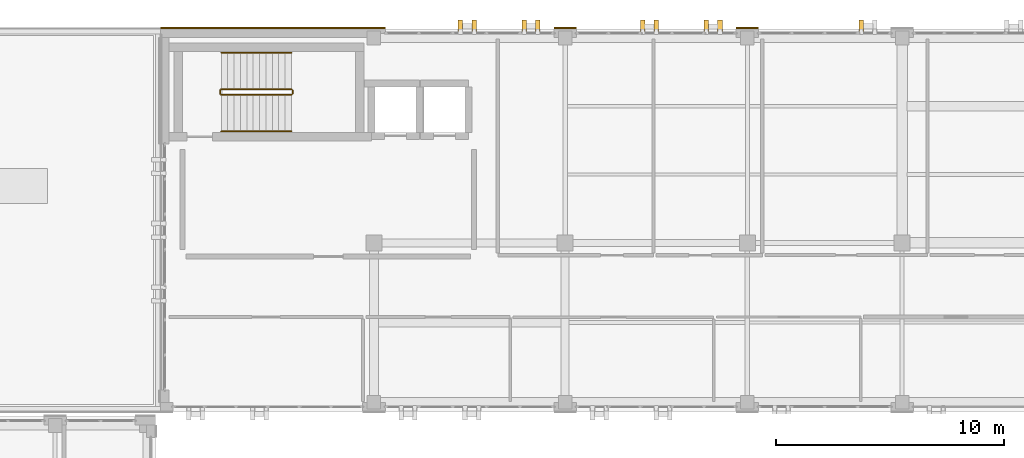
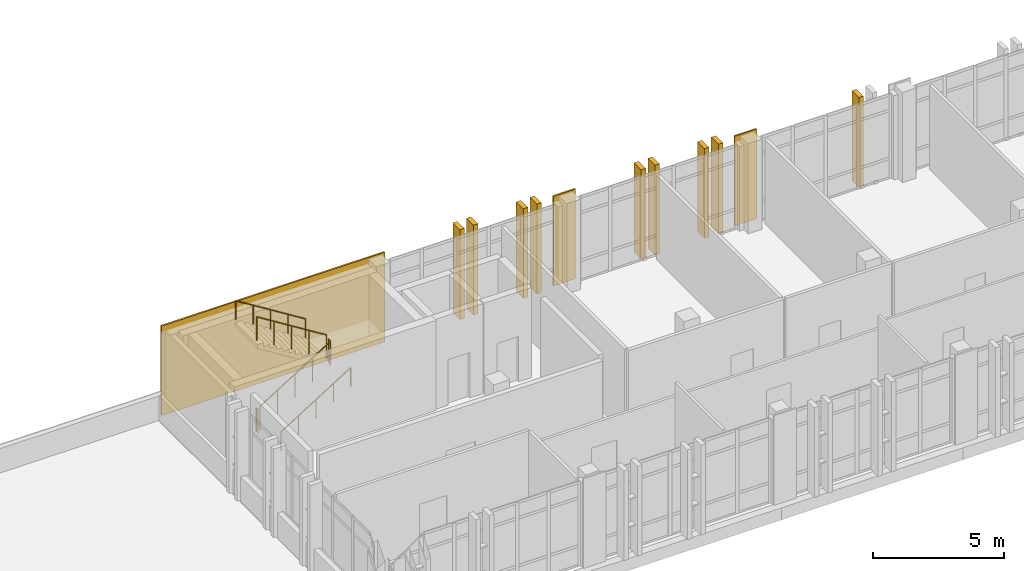
# One storey, part 84 of 90: 12 coverings, 6 railings.
"""IFC4 building model written with IfcOpenShell, lengths in metres."""

from ifc_helpers import new_model, si_unit, direction, frame, origin, origin_2d, place, context, subcontext, project, spatial, rectangle, circle, extrude, material, layer, layer_set, type_object, element, save


model = new_model("IFC4")

# Units and contexts
model_context = context("Model", 3, precision=1e-05, world=origin(), true_north=direction((0.0, 1.0)))
body_context = subcontext(model_context, "Body", "Model", "MODEL_VIEW")
ifc_project = project(units=[si_unit("LENGTHUNIT", "METRE"), si_unit("AREAUNIT", "SQUARE_METRE"), si_unit("VOLUMEUNIT", "CUBIC_METRE"), si_unit("PLANEANGLEUNIT", "RADIAN"), si_unit("MASSUNIT", "GRAM", prefix="KILO")], contexts=[model_context])

# Site, building, storey
site_placement = place(None, origin())
site = spatial("IfcSite", under=ifc_project, at=site_placement, CompositionType="ELEMENT")
building_placement = place(site_placement, origin())
building = spatial("IfcBuilding", under=site, at=building_placement, Name="Qalavern Law Courts", CompositionType="ELEMENT")
storey_placement = place(building_placement, frame((0.0, 0.0, 22.800048828125)))
storey = spatial("IfcBuildingStorey", under=building, at=storey_placement, Name="L05", CompositionType="ELEMENT", Elevation=22.800048828125)

# Coverings
ifc_material_1 = material(Name="Precast concrete C40/50", Category="concrete")
ifc_layer_1 = layer(ifc_material_1, 0.199951171875)
ifc_layer_set_1 = layer_set([ifc_layer_1], Name="Precast concrete C40/50")
covering_type_1 = type_object("IfcCoveringType", Name="ENV-BLD-1", PredefinedType="CLADDING", material=ifc_layer_set_1)
for number, where, z_axis, x_axis, name in (
    (1, (49.800048828125, 113.117431640625, 0.0048828125), (0.0, 0.0, 1.0), (0.0, 1.0, 0.0), "Absheron stone facade blade 1140"),
    (2, (43.60009765625, 113.117431640625, 0.0048828125), (0.0, 0.0, 1.0), (0.0, 1.0, 0.0), "Absheron stone facade blade 1141"),
    (3, (43.0, 113.117431640625, 0.0048828125), (0.0, 0.0, 1.0), (0.0, 1.0, 0.0), "Absheron stone facade blade 1142"),
    (4, (40.800048828125, 113.117431640625, 0.0048828125), (0.0, 0.0, 1.0), (0.0, 1.0, 0.0), "Absheron stone facade blade 1143"),
    (5, (40.199951171875, 113.117431640625, 0.0048828125), (0.0, 0.0, 1.0), (0.0, 1.0, 0.0), "Absheron stone facade blade 1144"),
    (6, (35.60009765625, 113.117431640625, 0.0048828125), (0.0, 0.0, 1.0), (0.0, 1.0, 0.0), "Absheron stone facade blade 1145"),
    (7, (35.0, 113.117431640625, 0.0048828125), (0.0, 0.0, 1.0), (0.0, 1.0, 0.0), "Absheron stone facade blade 1146"),
    (8, (32.800048828125, 113.117431640625, 0.0048828125), (0.0, 0.0, 1.0), (0.0, 1.0, 0.0), "Absheron stone facade blade 1147"),
    (9, (32.199951171875, 113.117431640625, 0.0048828125), (0.0, 0.0, 1.0), (0.0, 1.0, 0.0), "Absheron stone facade blade 1148"),
):
    element("IfcCovering", number, at=place(storey_placement, frame(where, z_axis=z_axis, x_axis=x_axis)), inside=storey, type_object=covering_type_1, Name=name, PredefinedType="CLADDING", context=body_context, shape_type="SweptSolid", body=[
        extrude(rectangle(XDim=0.5400390625, YDim=0.199951171875, at=origin_2d()), origin(), (0.0, 0.0, 1.0), 4.18994140625),
    ])
ifc_layer_2 = layer(ifc_material_1, 0.072021484375)
ifc_layer_set_2 = layer_set([ifc_layer_2], Name="Precast concrete C40/50")
covering_type_2 = type_object("IfcCoveringType", Name="ENV-CLD-2", PredefinedType="CLADDING", material=ifc_layer_set_2)
for number, where, z_axis, x_axis, name in (
    (10, (44.800048828125, 113.032958984375, 0.009765625), (0.0, 0.0, 1.0), (-1.0, 0.0, 0.0), "V5 Absheron limestone pier facing L05 north 3"),
    (11, (36.800048828125, 113.032958984375, 0.009765625), (0.0, 0.0, 1.0), (-1.0, 0.0, 0.0), "V5 Absheron limestone pier facing L05 north 4"),
):
    element("IfcCovering", number, at=place(storey_placement, frame(where, z_axis=z_axis, x_axis=x_axis)), inside=storey, type_object=covering_type_2, Name=name, PredefinedType="CLADDING", context=body_context, shape_type="SweptSolid", body=[
        extrude(rectangle(XDim=0.97998046875, YDim=0.072021484375, at=origin_2d()), origin(), (0.0, 0.0, 1.0), 4.179931640625),
    ])
covering_placement = place(storey_placement, frame((23.9599609375, 113.032958984375, 0.009765625), z_axis=(0.0, 0.0, 1.0), x_axis=(-1.0, 0.0, 0.0)))
element("IfcCovering", 12, at=covering_placement, inside=storey, type_object=covering_type_2, Name="V5 Absheron limestone pier facing L05 north 5", PredefinedType="CLADDING", context=body_context, shape_type="SweptSolid", body=[
    extrude(rectangle(XDim=9.860107421875, YDim=0.072021484375, at=origin_2d()), origin(), (0.0, 0.0, 1.0), 4.179931640625),
])

# Railings
ifc_material_2 = material(Name="Steel S355", Category="steel")
railing_type_1 = type_object("IfcRailingType", Name="INT-GUARD-1120", PredefinedType="BALUSTRADE", material=ifc_material_2)
railing_1_placement = place(storey_placement, frame((21.699951171875, 110.10009765625, 0.175048828125)))
element("IfcRailing", 13, at=railing_1_placement, inside=storey, type_object=railing_type_1, Name="L05 ST-K3 stair guard 1", PredefinedType="BALUSTRADE", context=body_context, shape_type="SweptSolid", body=[
    extrude(circle(Radius=0.02392578125, at=origin_2d()), frame((0.0, 0.0, 1.09619140625), z_axis=(0.848028513186, 0.0, 0.529950602248), x_axis=(0.0, 1.0, 0.0)), (0.0, 0.0, 1.0), 3.632080078125),
    extrude(circle(Radius=0.02099609375, at=origin_2d()), origin(), (0.0, 0.0, 1.0), 1.072021484375),
    extrude(circle(Radius=0.02099609375, at=origin_2d()), frame((0.77001953125, 0.0, 0.481201171875)), (0.0, 0.0, 1.0), 1.072021484375),
    extrude(circle(Radius=0.02099609375, at=origin_2d()), frame((1.5400390625, 0.0, 0.96240234375)), (0.0, 0.0, 1.0), 1.072021484375),
    extrude(circle(Radius=0.02099609375, at=origin_2d()), frame((2.31005859375, 0.0, 1.443603515625)), (0.0, 0.0, 1.0), 1.072021484375),
    extrude(circle(Radius=0.02099609375, at=origin_2d()), frame((3.080078125, 0.0, 1.9248046875)), (0.0, 0.0, 1.0), 1.072021484375),
])
railing_2_placement = place(storey_placement, frame((24.830078125, 110.14990234375, 2.099853515625)))
element("IfcRailing", 14, at=railing_2_placement, inside=storey, type_object=railing_type_1, Name="L05 ST-K3 stair guard 2", PredefinedType="BALUSTRADE", context=body_context, shape_type="SweptSolid", body=[
    extrude(circle(Radius=0.02392578125, at=origin_2d()), frame((0.0, 0.0, 1.09619140625), z_axis=(0.0, 1.0, 0.0), x_axis=(-1.0, 0.0, 0.0)), (0.0, 0.0, 1.0), 0.150146484375),
    extrude(circle(Radius=0.02099609375, at=origin_2d()), origin(), (0.0, 0.0, 1.0), 1.072021484375),
    extrude(circle(Radius=0.02099609375, at=origin_2d()), frame((0.0, 0.150146484375, 0.0)), (0.0, 0.0, 1.0), 1.072021484375),
])
railing_3_placement = place(storey_placement, frame((24.780029296875, 110.35009765625, 2.27490234375)))
element("IfcRailing", 15, at=railing_3_placement, inside=storey, type_object=railing_type_1, Name="L05 ST-K3 stair guard 3", PredefinedType="BALUSTRADE", context=body_context, shape_type="SweptSolid", body=[
    extrude(circle(Radius=0.02392578125, at=origin_2d()), frame((0.0, 0.0, 1.09619140625), z_axis=(-0.847998304005, 0.0, 0.529998940003), x_axis=(0.0, -1.0, 0.0)), (0.0, 0.0, 1.0), 3.632080078125),
    extrude(circle(Radius=0.02099609375, at=origin_2d()), origin(), (0.0, 0.0, 1.0), 1.072021484375),
    extrude(circle(Radius=0.02099609375, at=origin_2d()), frame((-0.77001953125, 0.0, 0.481201171875)), (0.0, 0.0, 1.0), 1.072021484375),
    extrude(circle(Radius=0.02099609375, at=origin_2d()), frame((-1.5400390625, 0.0, 0.96240234375)), (0.0, 0.0, 1.0), 1.072021484375),
    extrude(circle(Radius=0.02099609375, at=origin_2d()), frame((-2.31005859375, 0.0, 1.44384765625)), (0.0, 0.0, 1.0), 1.072021484375),
    extrude(circle(Radius=0.02099609375, at=origin_2d()), frame((-3.080078125, 0.0, 1.925048828125)), (0.0, 0.0, 1.0), 1.072021484375),
])
railing_4_placement = place(storey_placement, frame((21.64990234375, 110.14990234375, 0.0)))
element("IfcRailing", 16, at=railing_4_placement, inside=storey, type_object=railing_type_1, Name="L05 ST-K3 stair guard 4", PredefinedType="BALUSTRADE", context=body_context, shape_type="SweptSolid", body=[
    extrude(circle(Radius=0.02392578125, at=origin_2d()), frame((0.0, 0.0, 1.09619140625), z_axis=(0.0, 1.0, 0.0), x_axis=(-1.0, 0.0, 0.0)), (0.0, 0.0, 1.0), 0.150146484375),
    extrude(circle(Radius=0.02099609375, at=origin_2d()), origin(), (0.0, 0.0, 1.0), 1.072021484375),
    extrude(circle(Radius=0.02099609375, at=origin_2d()), frame((0.0, 0.150146484375, 0.0)), (0.0, 0.0, 1.0), 1.072021484375),
])
railing_type_2 = type_object("IfcRailingType", Name="INT-HRAIL-920", PredefinedType="HANDRAIL", material=ifc_material_2)
railing_5_placement = place(storey_placement, frame((21.699951171875, 108.5, 0.175048828125)))
element("IfcRailing", 17, at=railing_5_placement, inside=storey, type_object=railing_type_2, Name="L05 ST-K3 stair handrail 1", PredefinedType="HANDRAIL", context=body_context, shape_type="SweptSolid", body=[
    extrude(circle(Radius=0.02392578125, at=origin_2d()), frame((0.0, 0.0, 0.8759765625), z_axis=(0.848028513186, 0.0, 0.529950602248), x_axis=(0.0, 1.0, 0.0)), (0.0, 0.0, 1.0), 3.632080078125),
    extrude(circle(Radius=0.02099609375, at=origin_2d()), origin(), (0.0, 0.0, 1.0), 0.851806640625),
    extrude(circle(Radius=0.02099609375, at=origin_2d()), frame((0.77001953125, 0.0, 0.481201171875)), (0.0, 0.0, 1.0), 0.851806640625),
    extrude(circle(Radius=0.02099609375, at=origin_2d()), frame((1.5400390625, 0.0, 0.96240234375)), (0.0, 0.0, 1.0), 0.851806640625),
    extrude(circle(Radius=0.02099609375, at=origin_2d()), frame((2.31005859375, 0.0, 1.443603515625)), (0.0, 0.0, 1.0), 0.851806640625),
    extrude(circle(Radius=0.02099609375, at=origin_2d()), frame((3.080078125, 0.0, 1.9248046875)), (0.0, 0.0, 1.0), 0.851806640625),
])
railing_6_placement = place(storey_placement, frame((24.780029296875, 111.949951171875, 2.27490234375)))
element("IfcRailing", 18, at=railing_6_placement, inside=storey, type_object=railing_type_2, Name="L05 ST-K3 stair handrail 2", PredefinedType="HANDRAIL", context=body_context, shape_type="SweptSolid", body=[
    extrude(circle(Radius=0.02392578125, at=origin_2d()), frame((0.0, 0.0, 0.8759765625), z_axis=(-0.847998304005, 0.0, 0.529998940003), x_axis=(0.0, -1.0, 0.0)), (0.0, 0.0, 1.0), 3.632080078125),
    extrude(circle(Radius=0.02099609375, at=origin_2d()), origin(), (0.0, 0.0, 1.0), 0.851806640625),
    extrude(circle(Radius=0.02099609375, at=origin_2d()), frame((-0.77001953125, 0.0, 0.481201171875)), (0.0, 0.0, 1.0), 0.851806640625),
    extrude(circle(Radius=0.02099609375, at=origin_2d()), frame((-1.5400390625, 0.0, 0.96240234375)), (0.0, 0.0, 1.0), 0.851806640625),
    extrude(circle(Radius=0.02099609375, at=origin_2d()), frame((-2.31005859375, 0.0, 1.44384765625)), (0.0, 0.0, 1.0), 0.851806640625),
    extrude(circle(Radius=0.02099609375, at=origin_2d()), frame((-3.080078125, 0.0, 1.925048828125)), (0.0, 0.0, 1.0), 0.851806640625),
])

save(model, "model.ifc")
